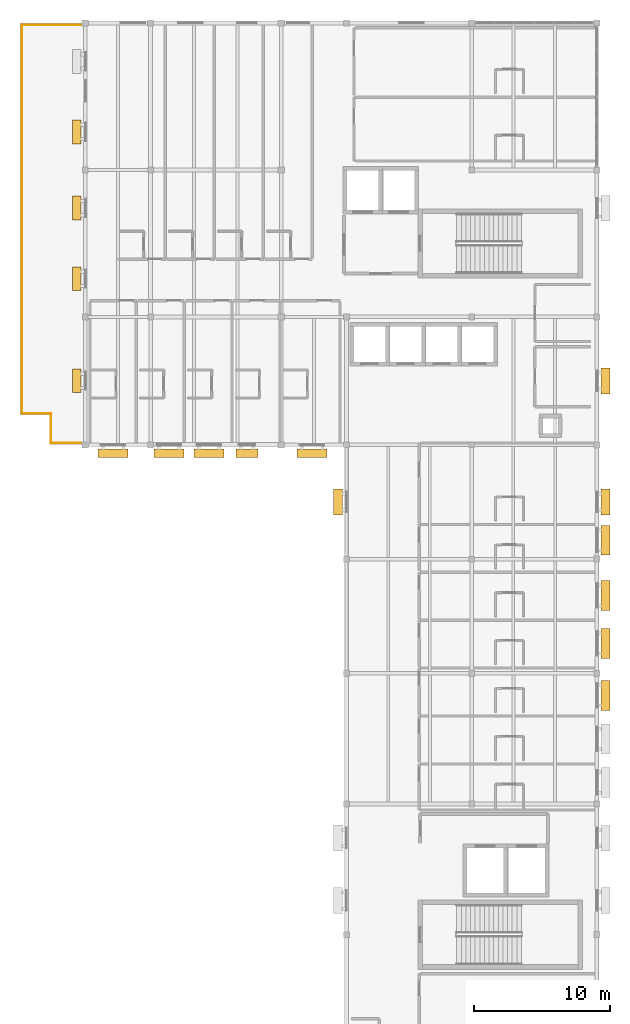
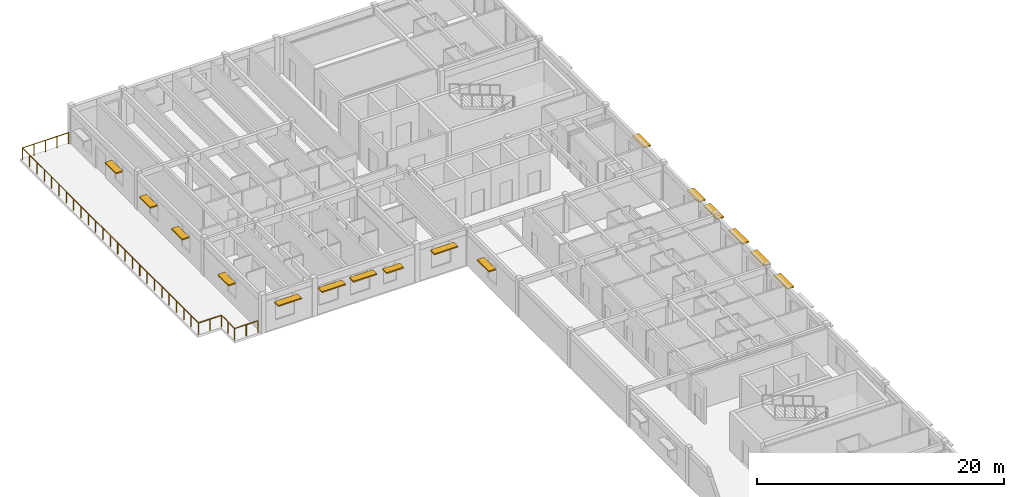
# One storey, part 13 of 15: 16 shading devices, 1 railing.
"""IFC4 building model written with IfcOpenShell, lengths in metres."""

from ifc_helpers import new_model, si_unit, direction, frame, origin, origin_2d, place, context, subcontext, project, spatial, rectangle, circle, extrude, material, type_object, element, save


model = new_model("IFC4")

# Units and contexts
model_context = context("Model", 3, precision=1e-05, world=origin(), true_north=direction((0.0, 1.0)))
body_context = subcontext(model_context, "Body", "Model", "MODEL_VIEW")
ifc_project = project(units=[si_unit("LENGTHUNIT", "METRE"), si_unit("AREAUNIT", "SQUARE_METRE"), si_unit("VOLUMEUNIT", "CUBIC_METRE"), si_unit("PLANEANGLEUNIT", "RADIAN"), si_unit("MASSUNIT", "GRAM", prefix="KILO")], contexts=[model_context])

# Site, building, storey
site_placement = place(None, origin())
site = spatial("IfcSite", under=ifc_project, at=site_placement, CompositionType="ELEMENT")
building_placement = place(site_placement, origin())
building = spatial("IfcBuilding", under=site, at=building_placement, Name="Veldera Park Congress Hotel", CompositionType="ELEMENT")
storey_placement = place(building_placement, frame((0.0, 0.0, 39.0)))
storey = spatial("IfcBuildingStorey", under=building, at=storey_placement, Name="L09", CompositionType="ELEMENT", Elevation=39.0)

# Railing
ifc_material_1 = material(Name="Steel ASTM A992 Gr.50", Category="steel")
railing_type = type_object("IfcRailingType", Name="GRD-EXT115", PredefinedType="GUARDRAIL", material=ifc_material_1)
railing_placement = place(storey_placement, frame((46.06005859375, 27.139892578125, 0.0)))
element("IfcRailing", 1, at=railing_placement, inside=storey, type_object=railing_type, Name="L09 Terrace Guard 008", PredefinedType="GUARDRAIL", context=body_context, shape_type="SweptSolid", body=[
    extrude(circle(Radius=0.02392578125, at=origin_2d()), frame((0.0, 0.0, 1.1259765625), z_axis=(-1.0, 0.0, 0.0), x_axis=(0.0, -1.0, 0.0)), (0.0, 0.0, 1.0), 2.170166015625),
    extrude(circle(Radius=0.02392578125, at=origin_2d()), frame((-2.170166015625, 0.0, 1.1259765625), z_axis=(0.0, 1.0, 0.0), x_axis=(-1.0, 0.0, 0.0)), (0.0, 0.0, 1.0), 2.150146484375),
    extrude(circle(Radius=0.02392578125, at=origin_2d()), frame((-2.170166015625, 2.150146484375, 1.1259765625), z_axis=(-1.0, 0.0, 0.0), x_axis=(0.0, -1.0, 0.0)), (0.0, 0.0, 1.0), 2.14990234375),
    extrude(circle(Radius=0.02392578125, at=origin_2d()), frame((-4.320068359375, 2.150146484375, 1.1259765625), z_axis=(0.0, 1.0, 0.0), x_axis=(-1.0, 0.0, 0.0)), (0.0, 0.0, 1.0), 28.570068359375),
    extrude(circle(Radius=0.02392578125, at=origin_2d()), frame((-4.320068359375, 30.72021484375, 1.1259765625), z_axis=(1.0, 0.0, 0.0), x_axis=(0.0, 1.0, 0.0)), (0.0, 0.0, 1.0), 4.320068359375),
    extrude(circle(Radius=0.02099609375, at=origin_2d()), origin(), (0.0, 0.0, 1.0), 1.101806640625),
    extrude(circle(Radius=0.02099609375, at=origin_2d()), frame((-1.0849609375, 0.0, 0.0)), (0.0, 0.0, 1.0), 1.101806640625),
    extrude(circle(Radius=0.02099609375, at=origin_2d()), frame((-2.170166015625, 0.0, 0.0)), (0.0, 0.0, 1.0), 1.101806640625),
    extrude(circle(Radius=0.02099609375, at=origin_2d()), frame((-2.170166015625, 1.0751953125, 0.0)), (0.0, 0.0, 1.0), 1.101806640625),
    extrude(circle(Radius=0.02099609375, at=origin_2d()), frame((-2.170166015625, 2.150146484375, 0.0)), (0.0, 0.0, 1.0), 1.101806640625),
    extrude(circle(Radius=0.02099609375, at=origin_2d()), frame((-3.2451171875, 2.150146484375, 0.0)), (0.0, 0.0, 1.0), 1.101806640625),
    extrude(circle(Radius=0.02099609375, at=origin_2d()), frame((-4.320068359375, 2.150146484375, 0.0)), (0.0, 0.0, 1.0), 1.101806640625),
    extrude(circle(Radius=0.02099609375, at=origin_2d()), frame((-4.320068359375, 3.340576171875, 0.0)), (0.0, 0.0, 1.0), 1.101806640625),
    extrude(circle(Radius=0.02099609375, at=origin_2d()), frame((-4.320068359375, 4.531005859375, 0.0)), (0.0, 0.0, 1.0), 1.101806640625),
    extrude(circle(Radius=0.02099609375, at=origin_2d()), frame((-4.320068359375, 5.721435546875, 0.0)), (0.0, 0.0, 1.0), 1.101806640625),
    extrude(circle(Radius=0.02099609375, at=origin_2d()), frame((-4.320068359375, 6.911865234375, 0.0)), (0.0, 0.0, 1.0), 1.101806640625),
    extrude(circle(Radius=0.02099609375, at=origin_2d()), frame((-4.320068359375, 8.102294921875, 0.0)), (0.0, 0.0, 1.0), 1.101806640625),
    extrude(circle(Radius=0.02099609375, at=origin_2d()), frame((-4.320068359375, 9.292724609375, 0.0)), (0.0, 0.0, 1.0), 1.101806640625),
    extrude(circle(Radius=0.02099609375, at=origin_2d()), frame((-4.320068359375, 10.483154296875, 0.0)), (0.0, 0.0, 1.0), 1.101806640625),
    extrude(circle(Radius=0.02099609375, at=origin_2d()), frame((-4.320068359375, 11.673583984375, 0.0)), (0.0, 0.0, 1.0), 1.101806640625),
    extrude(circle(Radius=0.02099609375, at=origin_2d()), frame((-4.320068359375, 12.864013671875, 0.0)), (0.0, 0.0, 1.0), 1.101806640625),
    extrude(circle(Radius=0.02099609375, at=origin_2d()), frame((-4.320068359375, 14.054443359375, 0.0)), (0.0, 0.0, 1.0), 1.101806640625),
    extrude(circle(Radius=0.02099609375, at=origin_2d()), frame((-4.320068359375, 15.244873046875, 0.0)), (0.0, 0.0, 1.0), 1.101806640625),
    extrude(circle(Radius=0.02099609375, at=origin_2d()), frame((-4.320068359375, 16.43505859375, 0.0)), (0.0, 0.0, 1.0), 1.101806640625),
    extrude(circle(Radius=0.02099609375, at=origin_2d()), frame((-4.320068359375, 17.62548828125, 0.0)), (0.0, 0.0, 1.0), 1.101806640625),
    extrude(circle(Radius=0.02099609375, at=origin_2d()), frame((-4.320068359375, 18.81591796875, 0.0)), (0.0, 0.0, 1.0), 1.101806640625),
    extrude(circle(Radius=0.02099609375, at=origin_2d()), frame((-4.320068359375, 20.00634765625, 0.0)), (0.0, 0.0, 1.0), 1.101806640625),
    extrude(circle(Radius=0.02099609375, at=origin_2d()), frame((-4.320068359375, 21.19677734375, 0.0)), (0.0, 0.0, 1.0), 1.101806640625),
    extrude(circle(Radius=0.02099609375, at=origin_2d()), frame((-4.320068359375, 22.38720703125, 0.0)), (0.0, 0.0, 1.0), 1.101806640625),
    extrude(circle(Radius=0.02099609375, at=origin_2d()), frame((-4.320068359375, 23.57763671875, 0.0)), (0.0, 0.0, 1.0), 1.101806640625),
    extrude(circle(Radius=0.02099609375, at=origin_2d()), frame((-4.320068359375, 24.76806640625, 0.0)), (0.0, 0.0, 1.0), 1.101806640625),
    extrude(circle(Radius=0.02099609375, at=origin_2d()), frame((-4.320068359375, 25.95849609375, 0.0)), (0.0, 0.0, 1.0), 1.101806640625),
    extrude(circle(Radius=0.02099609375, at=origin_2d()), frame((-4.320068359375, 27.14892578125, 0.0)), (0.0, 0.0, 1.0), 1.101806640625),
    extrude(circle(Radius=0.02099609375, at=origin_2d()), frame((-4.320068359375, 28.33935546875, 0.0)), (0.0, 0.0, 1.0), 1.101806640625),
    extrude(circle(Radius=0.02099609375, at=origin_2d()), frame((-4.320068359375, 29.52978515625, 0.0)), (0.0, 0.0, 1.0), 1.101806640625),
    extrude(circle(Radius=0.02099609375, at=origin_2d()), frame((-4.320068359375, 30.72021484375, 0.0)), (0.0, 0.0, 1.0), 1.101806640625),
    extrude(circle(Radius=0.02099609375, at=origin_2d()), frame((-3.239990234375, 30.72021484375, 0.0)), (0.0, 0.0, 1.0), 1.101806640625),
    extrude(circle(Radius=0.02099609375, at=origin_2d()), frame((-2.16015625, 30.72021484375, 0.0)), (0.0, 0.0, 1.0), 1.101806640625),
    extrude(circle(Radius=0.02099609375, at=origin_2d()), frame((-1.080078125, 30.72021484375, 0.0)), (0.0, 0.0, 1.0), 1.101806640625),
    extrude(circle(Radius=0.02099609375, at=origin_2d()), frame((0.0, 30.72021484375, 0.0)), (0.0, 0.0, 1.0), 1.101806640625),
])

# Shading devices
ifc_material_2 = material(Name="Glulam GL28h (NDS 24F-V4)", Category="wood")
shading_device_type = type_object("IfcShadingDeviceType", Name="SHD-LVR300", PredefinedType="JALOUSIE", material=ifc_material_2)
for number, where, z_axis, x_axis, name in (
    (2, (84.625, 22.800048828125, 2.619873046875), (0.0, 0.0, 1.0), (0.0, 1.0, 0.0), "Glulam Solar Shade 235"),
    (3, (84.625, 31.699951171875, 2.619873046875), (0.0, 0.0, 1.0), (0.0, 1.0, 0.0), "Glulam Solar Shade 236"),
):
    element("IfcShadingDevice", number, at=place(storey_placement, frame(where, z_axis=z_axis, x_axis=x_axis)), inside=storey, type_object=shading_device_type, Name=name, PredefinedType="JALOUSIE", context=body_context, shape_type="SweptSolid", body=[
        extrude(rectangle(XDim=1.89990234375, YDim=0.64990234375, at=origin_2d()), origin(), (0.0, 0.0, 1.0), 0.1201171875),
    ])
for number, where, z_axis, x_axis, name in (
    (4, (45.77490234375, 50.000244140625, 2.52001953125), (0.0, 0.0, 1.0), (0.0, -1.0, 0.0), "Glulam Solar Shade 239"),
    (5, (45.77490234375, 44.39599609375, 2.52001953125), (0.0, 0.0, 1.0), (0.0, -1.0, 0.0), "Glulam Solar Shade 240"),
    (6, (45.77490234375, 39.2041015625, 2.52001953125), (0.0, 0.0, 1.0), (0.0, -1.0, 0.0), "Glulam Solar Shade 241"),
    (7, (45.77490234375, 31.70751953125, 2.52001953125), (0.0, 0.0, 1.0), (0.0, -1.0, 0.0), "Glulam Solar Shade 242"),
):
    element("IfcShadingDevice", number, at=place(storey_placement, frame(where, z_axis=z_axis, x_axis=x_axis)), inside=storey, type_object=shading_device_type, Name=name, PredefinedType="JALOUSIE", context=body_context, shape_type="SweptSolid", body=[
        extrude(rectangle(XDim=1.75, YDim=0.64990234375, at=origin_2d()), origin(), (0.0, 0.0, 1.0), 0.1201171875),
    ])
shading_device_1_placement = place(storey_placement, frame((58.28857421875, 26.375, 2.419921875), z_axis=(0.0, 0.0, 1.0), x_axis=(1.0, 0.0, 0.0)))
element("IfcShadingDevice", 8, at=shading_device_1_placement, inside=storey, type_object=shading_device_type, Name="Glulam Solar Shade 243", PredefinedType="JALOUSIE", context=body_context, shape_type="SweptSolid", body=[
    extrude(rectangle(XDim=1.60009765625, YDim=0.64990234375, at=origin_2d()), origin(), (0.0, 0.0, 1.0), 0.1201171875),
])
shading_device_2_placement = place(storey_placement, frame((64.97509765625, 22.800048828125, 2.619873046875), z_axis=(0.0, 0.0, 1.0), x_axis=(0.0, -1.0, 0.0)))
element("IfcShadingDevice", 9, at=shading_device_2_placement, inside=storey, type_object=shading_device_type, Name="Glulam Solar Shade 244", PredefinedType="JALOUSIE", context=body_context, shape_type="SweptSolid", body=[
    extrude(rectangle(XDim=1.89990234375, YDim=0.64990234375, at=origin_2d()), origin(), (0.0, 0.0, 1.0), 0.1201171875),
])
for number, where, z_axis, x_axis, name in (
    (10, (84.625, 8.58349609375, 2.719970703125), (0.0, 0.0, 1.0), (0.0, 1.0, 0.0), "Glulam Solar Shade 480"),
    (11, (84.625, 12.409912109375, 2.719970703125), (0.0, 0.0, 1.0), (0.0, 1.0, 0.0), "Glulam Solar Shade 481"),
    (12, (84.625, 15.929931640625, 2.719970703125), (0.0, 0.0, 1.0), (0.0, 1.0, 0.0), "Glulam Solar Shade 482"),
    (13, (84.625, 19.986572265625, 2.719970703125), (0.0, 0.0, 1.0), (0.0, 1.0, 0.0), "Glulam Solar Shade 483"),
    (14, (48.449951171875, 26.375, 2.719970703125), (0.0, 0.0, 1.0), (1.0, 0.0, 0.0), "Glulam Solar Shade 484"),
    (15, (52.54638671875, 26.375, 2.659912109375), (0.0, 0.0, 1.0), (1.0, 0.0, 0.0), "Glulam Solar Shade 485"),
    (16, (55.489990234375, 26.375, 2.659912109375), (0.0, 0.0, 1.0), (1.0, 0.0, 0.0), "Glulam Solar Shade 486"),
    (17, (63.076416015625, 26.375, 2.719970703125), (0.0, 0.0, 1.0), (1.0, 0.0, 0.0), "Glulam Solar Shade 487"),
):
    element("IfcShadingDevice", number, at=place(storey_placement, frame(where, z_axis=z_axis, x_axis=x_axis)), inside=storey, type_object=shading_device_type, Name=name, PredefinedType="JALOUSIE", context=body_context, shape_type="SweptSolid", body=[
        extrude(rectangle(XDim=2.199951171875, YDim=0.64990234375, at=origin_2d()), origin(), (0.0, 0.0, 1.0), 0.1201171875),
    ])

save(model, "model.ifc")
